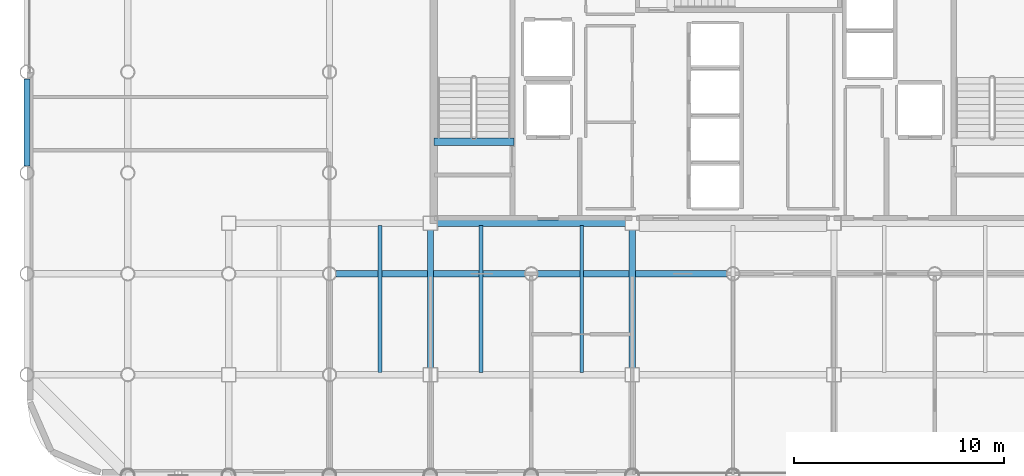
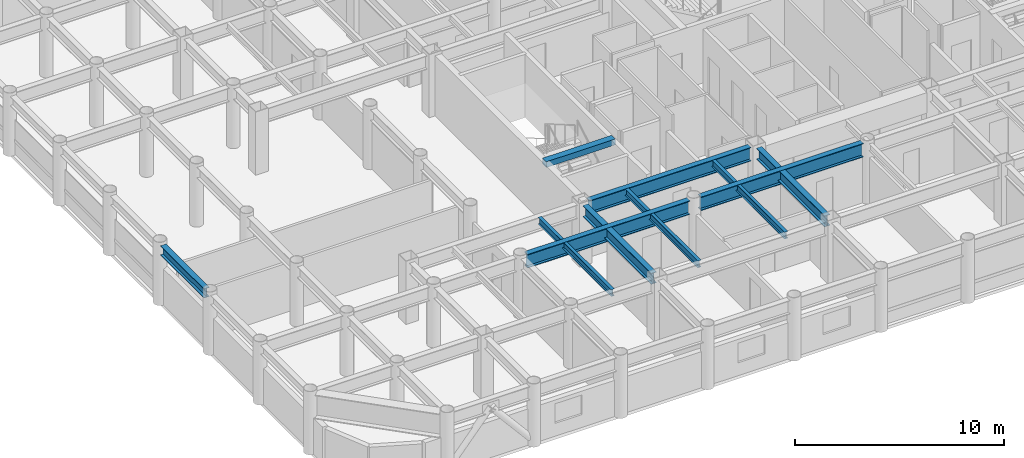
# One storey, part 3 of 20: 10 beams.
"""IFC4 building model written with IfcOpenShell, lengths in metres."""

import ifcopenshell
import ifcopenshell.guid

model = None  # the IFC model being written
_history = None  # IfcOwnerHistory: only IFC2X3 demands one
_inside = {}  # id of a spatial element -> (the spatial element, [elements in it])
_under = {}  # id of a project, library or spatial element -> (it, [spatial elements below it])
_declared = {}  # id of a project -> (the project, [libraries it declares])
_typed = {}  # id of a type object -> (the type object, [elements of that type])
_made_of = {}  # id of a material, layer set ... -> (it, [elements and type objects made of it])


def new_model(schema):
    """Start an empty IFC model of exactly this schema.

    Asked for "IFC4X3", IfcOpenShell would pick the latest addendum, in which some entities
    have other attributes; the version numbers below select the first issue.
    IFC2X3 requires an IfcOwnerHistory on every rooted entity: one is made here for all.
    """
    global model, _history
    if schema == "IFC4X3":
        model = ifcopenshell.file(schema_version=(4, 3, 0, 0))
    else:
        model = ifcopenshell.file(schema=schema)
    _inside.clear()
    _under.clear()
    _declared.clear()
    _typed.clear()
    _made_of.clear()
    _history = None
    if model.schema == "IFC2X3":
        org = make("IfcOrganization", Name="unknown")
        user = make(
            "IfcPersonAndOrganization",
            ThePerson=make("IfcPerson", FamilyName="unknown"),
            TheOrganization=org,
        )
        app = make(
            "IfcApplication",
            ApplicationDeveloper=org,
            Version="unknown",
            ApplicationFullName="unknown",
            ApplicationIdentifier="unknown",
        )
        _history = make(
            "IfcOwnerHistory",
            OwningUser=user,
            OwningApplication=app,
            ChangeAction="ADDED",
            CreationDate=0,
        )
    return model


def make(cls, **values):
    """One entity of the class cls with the attributes given. An attribute that is None is left unset."""
    return model.create_entity(
        cls, **{name: value for name, value in values.items() if value is not None}
    )


def rooted(cls, **values):
    """An entity with a GlobalId (a new one), such as an element, a storey or a relation."""
    return make(cls, GlobalId=ifcopenshell.guid.new(), OwnerHistory=_history, **values)


def si_unit(unit_type, name, prefix=None):
    """IfcSIUnit, for example si_unit("LENGTHUNIT", "METRE", prefix="MILLI")."""
    return make("IfcSIUnit", UnitType=unit_type, Prefix=prefix, Name=name)


def assignment(units):
    """IfcUnitAssignment: the units of a project."""
    return None if units is None else make("IfcUnitAssignment", Units=units)


def point(xyz):
    """IfcCartesianPoint."""
    return None if xyz is None else make("IfcCartesianPoint", Coordinates=xyz)


def direction(xyz):
    """IfcDirection."""
    return None if xyz is None else make("IfcDirection", DirectionRatios=xyz)


def frame(location, z_axis=None, x_axis=None):
    """IfcAxis2Placement3D, a coordinate frame: its origin and axes. An axis left out is left unset."""
    return make(
        "IfcAxis2Placement3D",
        Location=point(location),
        Axis=direction(z_axis),
        RefDirection=direction(x_axis),
    )


def frame_2d(location, x_axis=None):
    """IfcAxis2Placement2D, a coordinate frame in the plane: its origin and x axis."""
    return make(
        "IfcAxis2Placement2D", Location=point(location), RefDirection=direction(x_axis)
    )


def origin():
    """The frame at (0, 0, 0) with its axes left unset."""
    return frame((0.0, 0.0, 0.0))


def origin_2d():
    """The frame at (0, 0) in the plane with its x axis left unset."""
    return frame_2d((0.0, 0.0))


def place(relative_to, where):
    """IfcLocalPlacement: puts the frame where relative to a parent placement (None: the world)."""
    return make(
        "IfcLocalPlacement", PlacementRelTo=relative_to, RelativePlacement=where
    )


def context(
    kind, dimensions, precision=None, world=None, true_north=None, identifier=None
):
    """IfcGeometricRepresentationContext, for example the 3D "Model" context."""
    return make(
        "IfcGeometricRepresentationContext",
        ContextIdentifier=identifier,
        ContextType=kind,
        CoordinateSpaceDimension=dimensions,
        Precision=precision,
        WorldCoordinateSystem=world,
        TrueNorth=true_north,
    )


def subcontext(parent, identifier, kind, view, scale=None):
    """IfcGeometricRepresentationSubContext, for example "Body" below "Model"."""
    return make(
        "IfcGeometricRepresentationSubContext",
        ContextIdentifier=identifier,
        ContextType=kind,
        ParentContext=parent,
        TargetScale=scale,
        TargetView=view,
    )


def project(units=None, contexts=None):
    """IfcProject with its units and contexts."""
    return rooted(
        "IfcProject",
        Name="project",
        RepresentationContexts=contexts,
        UnitsInContext=assignment(units),
    )


def spatial(cls, under=None, at=None, **own):
    """A site, building, storey or space (cls), placed at a placement, below another one or the project."""
    s = rooted(cls, ObjectPlacement=at, **own)
    if under is not None:
        _under.setdefault(under.id(), (under, []))[1].append(s)
    return s


def profile(cls, at=None, kind="AREA", **sizes):
    """A parametric profile (cls). Its sizes go by their IFC names, for example OverallWidth=200.0."""
    return make(cls, ProfileType=kind, Position=at, **sizes)


def rectangle(**sizes):
    """IfcRectangleProfileDef."""
    return profile("IfcRectangleProfileDef", **sizes)


def i_section(**sizes):
    """IfcIShapeProfileDef."""
    return profile("IfcIShapeProfileDef", **sizes)


def extrude(swept, where, along, depth):
    """IfcExtrudedAreaSolid: the profile swept, set in the frame where, extruded along a direction by depth."""
    return make(
        "IfcExtrudedAreaSolid",
        SweptArea=swept,
        Position=where,
        ExtrudedDirection=direction(along),
        Depth=depth,
    )


def shape(context_of_items, identifier, shape_type, items):
    """IfcShapeRepresentation: the items that make up one representation, for example the "Body"."""
    return make(
        "IfcShapeRepresentation",
        ContextOfItems=context_of_items,
        RepresentationIdentifier=identifier,
        RepresentationType=shape_type,
        Items=items,
    )


def material(Name=None, Category=None):
    """IfcMaterial."""
    return make("IfcMaterial", Name=Name, Category=Category)


def material_profile(
    of_material, cross_section, Name=None, Category=None, Priority=None
):
    """IfcMaterialProfile: a cross section and its material."""
    return make(
        "IfcMaterialProfile",
        Name=Name,
        Material=of_material,
        Profile=cross_section,
        Priority=Priority,
        Category=Category,
    )


def profile_set(profiles, Name=None, composite=None):
    """IfcMaterialProfileSet."""
    return make(
        "IfcMaterialProfileSet",
        Name=Name,
        MaterialProfiles=profiles,
        CompositeProfile=composite,
    )


def made_of(thing, what):
    """Note that an element or type object is made of a material, layer set ...; save() writes the relation."""
    if what is not None:
        _made_of.setdefault(what.id(), (what, []))[1].append(thing)
    return thing


def type_object(cls, material=None, **own):
    """A type object (cls), such as IfcWallType, which elements share."""
    return made_of(rooted(cls, **own), material)


def element(
    cls,
    number,
    at=None,
    inside=None,
    cuts=None,
    type_object=None,
    material=None,
    context=None,
    identifier="Body",
    shape_type=None,
    held_by="IfcProductDefinitionShape",
    body=None,
    shapes=None,
    **own,
):
    """One element of the class cls, such as IfcWall. Its Tag is "e" and its number.

    at: its placement. inside: the storey or other place that contains it. cuts: it is an
    opening in that element (IfcRelVoidsElement). A single representation is given by context,
    identifier, shape_type and body (its items); several are given by shapes. held_by: the class
    of the entity that holds the representations. save() writes the other relations.
    """
    e = rooted(cls, Tag="e%d" % number, ObjectPlacement=at, **own)
    if body is not None:
        shapes = [shape(context, identifier, shape_type, body)]
    if shapes is not None:
        e.Representation = make(held_by, Representations=shapes)
    if inside is not None:
        _inside.setdefault(inside.id(), (inside, []))[1].append(e)
    if cuts is not None:
        rooted(
            "IfcRelVoidsElement", RelatingBuildingElement=cuts, RelatedOpeningElement=e
        )
    if type_object is not None:
        _typed.setdefault(type_object.id(), (type_object, []))[1].append(e)
    return made_of(e, material)


def aggregate(whole, parts):
    """IfcRelAggregates: a whole, such as a stair, and the parts it consists of."""
    return rooted("IfcRelAggregates", RelatingObject=whole, RelatedObjects=parts)


def save(model, path):
    """Write the relations noted so far, then the file.

    IfcRelAggregates (storeys below a building ...), IfcRelContainedInSpatialStructure (elements
    in a storey), IfcRelDefinesByType, IfcRelAssociatesMaterial and IfcRelDeclares: one each for
    every whole, place, type object, material and project.
    """
    for whole, parts in _under.values():
        aggregate(whole, parts)
    for where, things in _inside.values():
        rooted(
            "IfcRelContainedInSpatialStructure",
            RelatedElements=things,
            RelatingStructure=where,
        )
    for kind, things in _typed.values():
        rooted("IfcRelDefinesByType", RelatedObjects=things, RelatingType=kind)
    for what, things in _made_of.values():
        rooted("IfcRelAssociatesMaterial", RelatedObjects=things, RelatingMaterial=what)
    for by, libraries in _declared.values():
        rooted("IfcRelDeclares", RelatingContext=by, RelatedDefinitions=libraries)
    model.write(path)


model = new_model("IFC4")

# Units and contexts
model_context = context("Model", 3, precision=1e-05, world=origin(), true_north=direction((0.0, 1.0)))
body_context = subcontext(model_context, "Body", "Model", "MODEL_VIEW")
ifc_project = project(units=[si_unit("LENGTHUNIT", "METRE"), si_unit("AREAUNIT", "SQUARE_METRE"), si_unit("VOLUMEUNIT", "CUBIC_METRE"), si_unit("PLANEANGLEUNIT", "RADIAN"), si_unit("MASSUNIT", "GRAM", prefix="KILO")], contexts=[model_context])

# Site, building, storey
site_placement = place(None, origin())
site = spatial("IfcSite", under=ifc_project, at=site_placement, CompositionType="ELEMENT")
building_placement = place(site_placement, origin())
building = spatial("IfcBuilding", under=site, at=building_placement, Name="Kallvorn Hotel Tower", CompositionType="ELEMENT")
storey_placement = place(building_placement, frame((0.0, 0.0, 135.89990234375)))
storey = spatial("IfcBuildingStorey", under=building, at=storey_placement, Name="L33", CompositionType="ELEMENT", Elevation=135.89990234375)

# Beams
ifc_material_1 = material(Name="Structural steel S355JR", Category="steel")
ifc_material_profile_1 = material_profile(ifc_material_1, i_section(OverallWidth=0.300048828125, OverallDepth=0.550048828125, WebThickness=0.014892578125, FlangeThickness=0.029052734375, at=origin_2d()), Name="HE 550 B")
ifc_profile_set_1 = profile_set([ifc_material_profile_1], Name="Structural steel S355JR")
beam_type_1 = type_object("IfcBeamType", Name="BM_HE550B", PredefinedType="SPANDREL", material=ifc_profile_set_1)
beam_1_placement = place(storey_placement, frame((-33.60009765625, -4.47998046875, 3.2451171875), z_axis=(0.0, 1.0, 0.0), x_axis=(-1.0, 0.0, 0.0)))
element("IfcBeam", 1, at=beam_1_placement, inside=storey, type_object=beam_type_1, Name="L34 Perimeter Spandrel 176", PredefinedType="SPANDREL", context=body_context, shape_type="SweptSolid", body=[
    extrude(i_section(OverallWidth=0.300048828125, OverallDepth=0.550048828125, WebThickness=0.014892578125, FlangeThickness=0.029052734375, at=origin_2d()), origin(), (0.0, 0.0, 1.0), 4.159912109375),
])
ifc_material_2 = material(Name="Structural steel S355JR", Category="steel")
ifc_material_profile_2 = material_profile(ifc_material_2, i_section(OverallWidth=0.300048828125, OverallDepth=0.64990234375, WebThickness=0.01611328125, FlangeThickness=0.031005859375, at=origin_2d()), Name="HE 650 B")
ifc_profile_set_2 = profile_set([ifc_material_profile_2], Name="Structural steel S355JR")
beam_type_2 = type_object("IfcBeamType", Name="BM_HE650B", PredefinedType="BEAM", material=ifc_profile_set_2)
for number, where, z_axis, x_axis, name in (
    (2, (-14.39990234375, -14.074951171875, 3.195068359375), (0.0, 1.0, 0.0), (-1.0, 0.0, 0.0), "L34 Primary Y-Girder 99"),
    (3, (-4.800048828125, -14.074951171875, 3.195068359375), (0.0, 1.0, 0.0), (-1.0, 0.0, 0.0), "L34 Primary Y-Girder 107"),
):
    element("IfcBeam", number, at=place(storey_placement, frame(where, z_axis=z_axis, x_axis=x_axis)), inside=storey, type_object=beam_type_2, Name=name, PredefinedType="BEAM", context=body_context, shape_type="SweptSolid", body=[
        extrude(i_section(OverallWidth=0.300048828125, OverallDepth=0.64990234375, WebThickness=0.01611328125, FlangeThickness=0.031005859375, at=origin_2d()), origin(), (0.0, 0.0, 1.0), 6.550048828125),
    ])
ifc_material_3 = material(Name="Structural steel S355JR", Category="steel")
ifc_material_profile_3 = material_profile(ifc_material_3, i_section(OverallWidth=0.300048828125, OverallDepth=0.800048828125, WebThickness=0.017578125, FlangeThickness=0.032958984375, at=origin_2d()), Name="HE 800 B")
ifc_profile_set_3 = profile_set([ifc_material_profile_3], Name="Structural steel S355JR")
beam_type_3 = type_object("IfcBeamType", Name="BM_HE800B", PredefinedType="BEAM", material=ifc_profile_set_3)
for number, where, z_axis, x_axis, name in (
    (4, (-18.89501953125, -9.60009765625, 3.1201171875), (1.0, 0.0, 0.0), (0.0, 1.0, 0.0), "L34 Primary X-Girder 26"),
    (5, (-9.294921875, -9.60009765625, 3.1201171875), (1.0, 0.0, 0.0), (0.0, 1.0, 0.0), "L34 Primary X-Girder 27"),
):
    element("IfcBeam", number, at=place(storey_placement, frame(where, z_axis=z_axis, x_axis=x_axis)), inside=storey, type_object=beam_type_3, Name=name, PredefinedType="BEAM", context=body_context, shape_type="SweptSolid", body=[
        extrude(i_section(OverallWidth=0.300048828125, OverallDepth=0.800048828125, WebThickness=0.017578125, FlangeThickness=0.032958984375, at=origin_2d()), origin(), (0.0, 0.0, 1.0), 8.989990234375),
    ])
beam_2_placement = place(storey_placement, frame((-14.074951171875, -7.199951171875, 3.1201171875), z_axis=(1.0, 0.0, 0.0), x_axis=(0.0, 1.0, 0.0)))
element("IfcBeam", 6, at=beam_2_placement, inside=storey, type_object=beam_type_3, Name="L34 Primary X-Girder 33", PredefinedType="BEAM", context=body_context, shape_type="SweptSolid", body=[
    extrude(i_section(OverallWidth=0.300048828125, OverallDepth=0.800048828125, WebThickness=0.017578125, FlangeThickness=0.032958984375, at=origin_2d()), origin(), (0.0, 0.0, 1.0), 8.949951171875),
])
ifc_material_4 = material(Name="Structural steel S355JR", Category="steel")
ifc_material_profile_4 = material_profile(ifc_material_4, i_section(OverallWidth=0.179931640625, OverallDepth=0.39990234375, WebThickness=0.008544921875, FlangeThickness=0.013427734375, at=origin_2d()), Name="IPE 400")
ifc_profile_set_4 = profile_set([ifc_material_profile_4], Name="Structural steel S355JR")
beam_type_4 = type_object("IfcBeamType", Name="BM_IPE400", PredefinedType="JOIST", material=ifc_profile_set_4)
for number, where, z_axis, x_axis, name in (
    (7, (-16.800048828125, -14.300048828125, 3.320068359375), (0.0, 1.0, 0.0), (-1.0, 0.0, 0.0), "L34 Secondary Composite Joist 194"),
    (8, (-12.0, -14.300048828125, 3.320068359375), (0.0, 1.0, 0.0), (-1.0, 0.0, 0.0), "L34 Secondary Composite Joist 196"),
    (9, (-7.199951171875, -14.300048828125, 3.320068359375), (0.0, 1.0, 0.0), (-1.0, 0.0, 0.0), "L34 Secondary Composite Joist 198"),
):
    element("IfcBeam", number, at=place(storey_placement, frame(where, z_axis=z_axis, x_axis=x_axis)), inside=storey, type_object=beam_type_4, Name=name, PredefinedType="JOIST", context=body_context, shape_type="SweptSolid", body=[
        extrude(i_section(OverallWidth=0.179931640625, OverallDepth=0.39990234375, WebThickness=0.008544921875, FlangeThickness=0.013427734375, at=origin_2d()), origin(), (0.0, 0.0, 1.0), 7.0),
    ])
ifc_material_5 = material(Name="Concrete C50/60", Category="concrete")
ifc_material_profile_5 = material_profile(ifc_material_5, rectangle(XDim=0.360107421875, YDim=0.340087890625, at=origin_2d()), Name="RC 360x340")
ifc_profile_set_5 = profile_set([ifc_material_profile_5], Name="Concrete C50/60")
beam_type_5 = type_object("IfcBeamType", Name="BM_RC_400x360", PredefinedType="BEAM", material=ifc_profile_set_5)
beam_3_placement = place(storey_placement, frame((-10.419921875, -3.31005859375, 3.35009765625), z_axis=(-1.0, 0.0, 0.0), x_axis=(0.0, -1.0, 0.0)))
element("IfcBeam", 10, at=beam_3_placement, inside=storey, type_object=beam_type_5, Name="L34 Stair ST1 Arrival Trimmer Beam", PredefinedType="BEAM", context=body_context, shape_type="SweptSolid", body=[
    extrude(rectangle(XDim=0.360107421875, YDim=0.340087890625, at=origin_2d()), origin(), (0.0, 0.0, 1.0), 3.820068359375),
])

save(model, "model.ifc")
